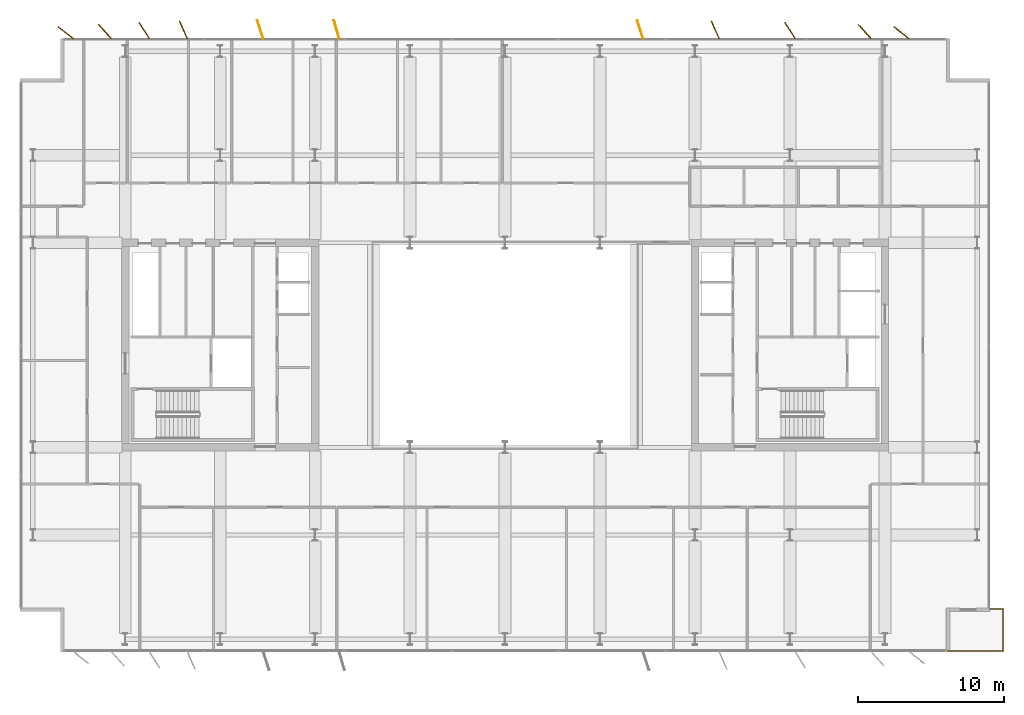
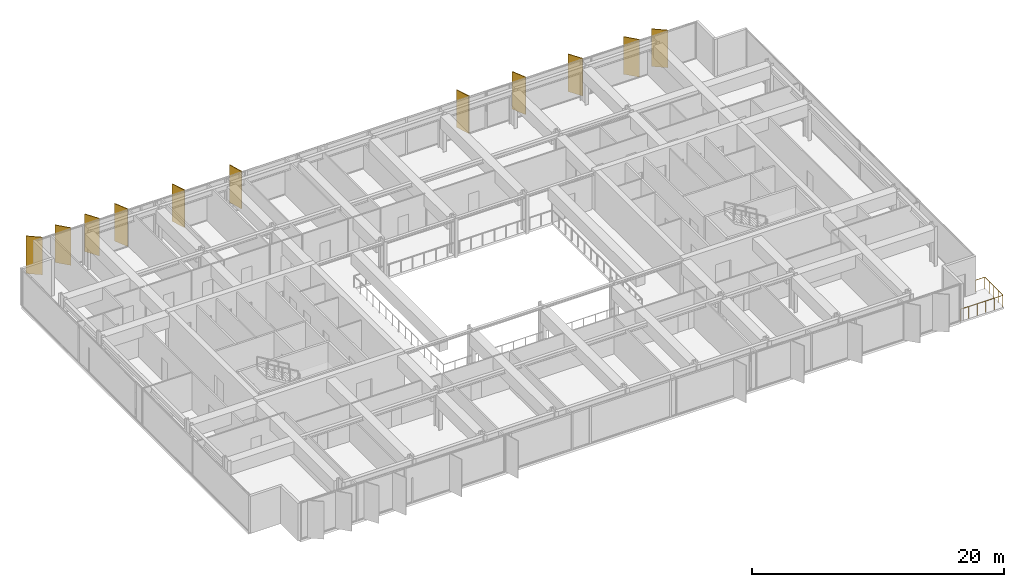
# One storey, part 24 of 24: 11 shading devices, 1 railing.
"""IFC4 building model written with IfcOpenShell, lengths in metres."""

from ifc_helpers import new_model, si_unit, direction, frame, origin, origin_2d, place, context, subcontext, project, spatial, rectangle, circle, extrude, material, layer, layer_set, type_object, element, save


model = new_model("IFC4")

# Units and contexts
model_context = context("Model", 3, precision=1e-05, world=origin(), true_north=direction((0.0, 1.0)))
body_context = subcontext(model_context, "Body", "Model", "MODEL_VIEW")
ifc_project = project(units=[si_unit("LENGTHUNIT", "METRE"), si_unit("AREAUNIT", "SQUARE_METRE"), si_unit("VOLUMEUNIT", "CUBIC_METRE"), si_unit("PLANEANGLEUNIT", "RADIAN"), si_unit("MASSUNIT", "GRAM", prefix="KILO")], contexts=[model_context])

# Site, building, storey
site_placement = place(None, origin())
site = spatial("IfcSite", under=ifc_project, at=site_placement, CompositionType="ELEMENT")
building_placement = place(site_placement, origin())
building = spatial("IfcBuilding", under=site, at=building_placement, Name="Putna Gate Headquarters", CompositionType="ELEMENT")
storey_placement = place(building_placement, frame((0.0, 0.0, 251.800048828125)))
storey = spatial("IfcBuildingStorey", under=building, at=storey_placement, Name="L63", CompositionType="ELEMENT", Elevation=251.800048828125)

# Railing
ifc_material_1 = material(Name="Anodised bronze steel and laminated glass guardrail", Category="steel")
railing_type = type_object("IfcRailingType", Name="RAIL-TERR-GUARD-1150", PredefinedType="GUARDRAIL", material=ifc_material_1)
railing_placement = place(storey_placement, frame((69.199951171875, 5.06005859375, 0.0)))
element("IfcRailing", 1, at=railing_placement, inside=storey, type_object=railing_type, Name="L63 Spiral Sky Terrace Guardrail SE", PredefinedType="GUARDRAIL", context=body_context, shape_type="SweptSolid", body=[
    extrude(circle(Radius=0.02392578125, at=origin_2d()), frame((0.0, 0.0, 1.1259765625), z_axis=(1.0, 0.0, 0.0), x_axis=(0.0, 1.0, 0.0)), (0.0, 0.0, 1.0), 3.89013671875),
    extrude(circle(Radius=0.02392578125, at=origin_2d()), frame((3.89013671875, 0.0, 1.1259765625), z_axis=(0.0, 1.0, 0.0), x_axis=(-1.0, 0.0, 0.0)), (0.0, 0.0, 1.0), 2.8798828125),
    extrude(circle(Radius=0.02392578125, at=origin_2d()), frame((3.89013671875, 2.8798828125, 1.1259765625), z_axis=(-1.0, 0.0, 0.0), x_axis=(0.0, -1.0, 0.0)), (0.0, 0.0, 1.0), 0.89013671875),
    extrude(circle(Radius=0.02099609375, at=origin_2d()), origin(), (0.0, 0.0, 1.0), 1.101806640625),
    extrude(circle(Radius=0.02099609375, at=origin_2d()), frame((0.778076171875, 0.0, 0.0)), (0.0, 0.0, 1.0), 1.101806640625),
    extrude(circle(Radius=0.02099609375, at=origin_2d()), frame((1.55615234375, 0.0, 0.0)), (0.0, 0.0, 1.0), 1.101806640625),
    extrude(circle(Radius=0.02099609375, at=origin_2d()), frame((2.333984375, 0.0, 0.0)), (0.0, 0.0, 1.0), 1.101806640625),
    extrude(circle(Radius=0.02099609375, at=origin_2d()), frame((3.112060546875, 0.0, 0.0)), (0.0, 0.0, 1.0), 1.101806640625),
    extrude(circle(Radius=0.02099609375, at=origin_2d()), frame((3.89013671875, 0.0, 0.0)), (0.0, 0.0, 1.0), 1.101806640625),
    extrude(circle(Radius=0.02099609375, at=origin_2d()), frame((3.89013671875, 0.719970703125, 0.0)), (0.0, 0.0, 1.0), 1.101806640625),
    extrude(circle(Radius=0.02099609375, at=origin_2d()), frame((3.89013671875, 1.43994140625, 0.0)), (0.0, 0.0, 1.0), 1.101806640625),
    extrude(circle(Radius=0.02099609375, at=origin_2d()), frame((3.89013671875, 2.159912109375, 0.0)), (0.0, 0.0, 1.0), 1.101806640625),
    extrude(circle(Radius=0.02099609375, at=origin_2d()), frame((3.89013671875, 2.8798828125, 0.0)), (0.0, 0.0, 1.0), 1.101806640625),
    extrude(circle(Radius=0.02099609375, at=origin_2d()), frame((3.0, 2.8798828125, 0.0)), (0.0, 0.0, 1.0), 1.101806640625),
])

# Shading devices
ifc_material_2 = material(Name="Anodised architectural bronze aluminium fin", Category="aluminium")
ifc_layer = layer(ifc_material_2, 0.06494140625)
ifc_layer_set = layer_set([ifc_layer], Name="Anodised architectural bronze aluminium fin")
shading_device_type = type_object("IfcShadingDeviceType", Name="SHADE-BRONZE-FIN-1320", PredefinedType="USERDEFINED", material=ifc_layer_set)
for number, where, z_axis, x_axis, name in (
    (2, (8.930419921875, 47.3818359375, -0.02001953125), (0.0, 0.0, 1.0), (-0.787473187632, 0.616348909921, 0.0), "L63 Bronze Vertical Shading Fin N1"),
    (3, (11.6083984375, 47.465576171875, -0.02001953125), (0.0, 0.0, 1.0), (-0.669130606359, 0.743144825477, 0.0), "L63 Bronze Vertical Shading Fin N2"),
    (4, (14.2998046875, 47.534423828125, -0.02001953125), (0.0, 0.0, 1.0), (-0.530659123936, 0.847585331506, 0.0), "L63 Bronze Vertical Shading Fin N3"),
    (5, (16.985595703125, 47.57958984375, -0.02001953125), (0.0, 0.0, 1.0), (-0.400668879095, 0.916222925562, 0.0), "L63 Bronze Vertical Shading Fin N4"),
    (6, (22.246337890625, 47.602783203125, -0.02001953125), (0.0, 0.0, 1.0), (-0.308684994204, 0.951164325631, 0.0), "L63 Bronze Vertical Shading Fin N5"),
    (7, (27.468017578125, 47.609375, -0.02001953125), (0.0, 0.0, 1.0), (-0.275637355817, 0.961261695938, 0.0), "L63 Bronze Vertical Shading Fin N6"),
    (8, (48.246337890625, 47.602783203125, -0.02001953125), (0.0, 0.0, 1.0), (-0.308684994204, 0.951164325631, 0.0), "L63 Bronze Vertical Shading Fin N7"),
    (9, (53.385498046875, 47.57958984375, -0.02001953125), (0.0, 0.0, 1.0), (-0.400668879095, 0.916222925562, 0.0), "L63 Bronze Vertical Shading Fin N8"),
    (10, (58.499755859375, 47.534423828125, -0.02001953125), (0.0, 0.0, 1.0), (-0.530659123936, 0.847585331506, 0.0), "L63 Bronze Vertical Shading Fin N9"),
    (11, (63.6083984375, 47.465576171875, -0.02001953125), (0.0, 0.0, 1.0), (-0.669130606359, 0.743144825477, 0.0), "L63 Bronze Vertical Shading Fin N10"),
    (12, (66.13037109375, 47.3818359375, -0.02001953125), (0.0, 0.0, 1.0), (-0.787473187632, 0.616348909921, 0.0), "L63 Bronze Vertical Shading Fin N11"),
):
    element("IfcShadingDevice", number, at=place(storey_placement, frame(where, z_axis=z_axis, x_axis=x_axis)), inside=storey, type_object=shading_device_type, Name=name, ObjectType="FIN", PredefinedType="USERDEFINED", context=body_context, shape_type="SweptSolid", body=[
        extrude(rectangle(XDim=1.320068359375, YDim=0.06494140625, at=origin_2d()), origin(), (0.0, 0.0, 1.0), 3.6279296875),
    ])

save(model, "model.ifc")
